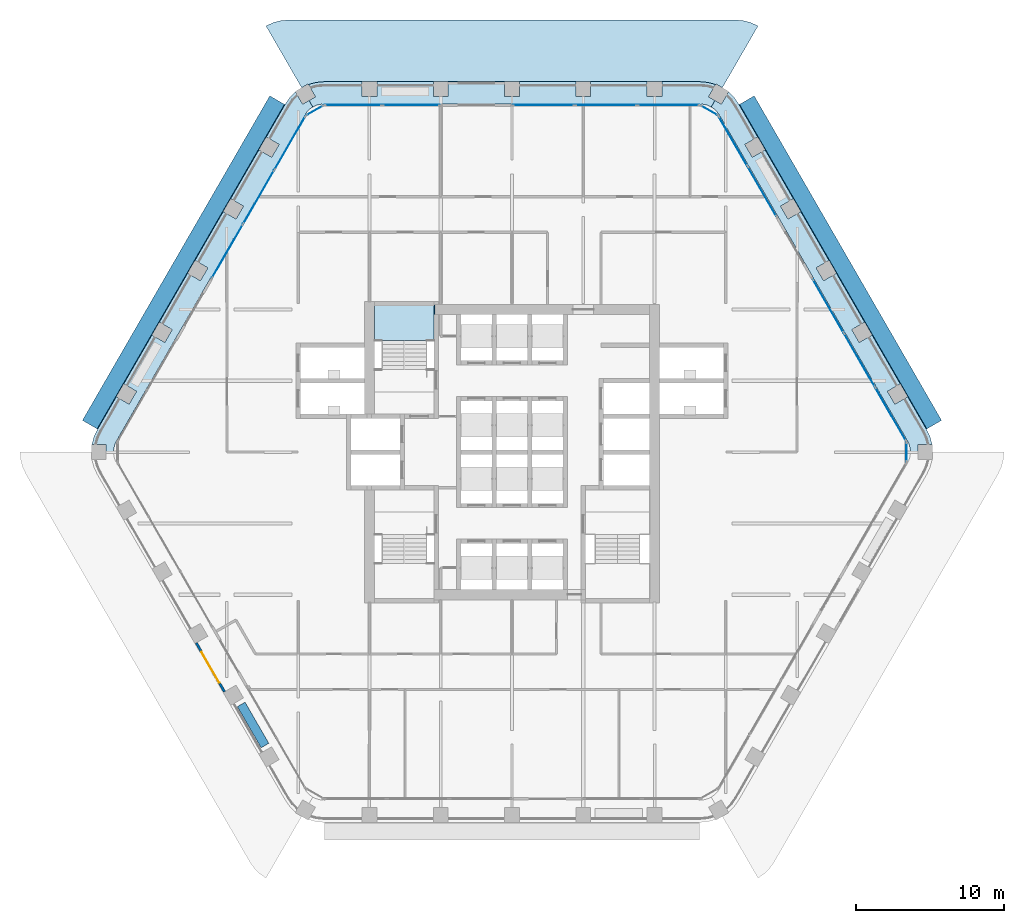
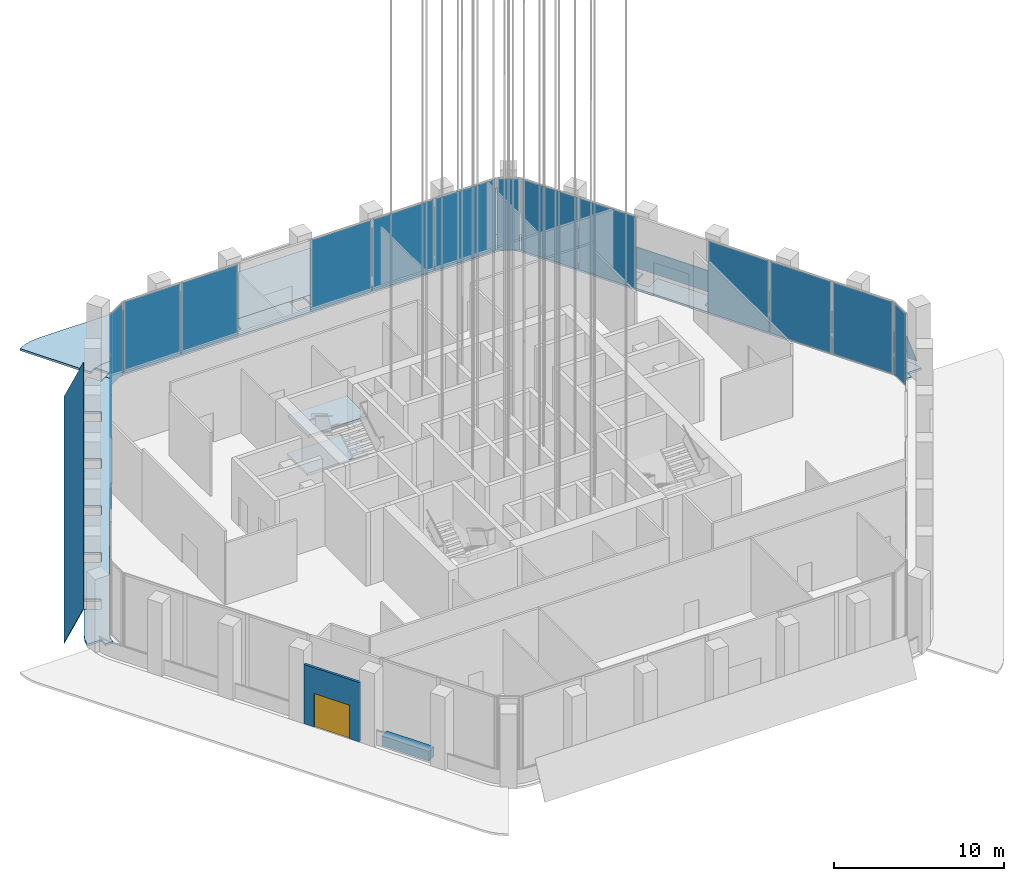
# One storey, part 7 of 42: 18 plates, 6 slabs, 2 walls, 1 door, 1 opening, 9 elements without a shape of their own.
"""IFC4 building model written with IfcOpenShell, lengths in metres."""

from ifc_helpers import new_model, si_unit, direction, frame, frame_2d, origin, origin_2d, place, context, subcontext, project, spatial, polyline, rectangle, outline, extrude, material, layer, layer_set, type_object, element, fill, aggregate, save


model = new_model("IFC4")

# Units and contexts
model_context = context("Model", 3, precision=1e-05, world=origin(), true_north=direction((0.0, 1.0)))
body_context = subcontext(model_context, "Body", "Model", "MODEL_VIEW")
ifc_project = project(units=[si_unit("LENGTHUNIT", "METRE"), si_unit("AREAUNIT", "SQUARE_METRE"), si_unit("VOLUMEUNIT", "CUBIC_METRE"), si_unit("PLANEANGLEUNIT", "RADIAN"), si_unit("MASSUNIT", "GRAM", prefix="KILO")], contexts=[model_context])

# Site, building, storey
site_placement = place(None, origin())
site = spatial("IfcSite", under=ifc_project, at=site_placement, CompositionType="ELEMENT")
building_placement = place(site_placement, origin())
building = spatial("IfcBuilding", under=site, at=building_placement, Name="Kolab Exchange Tower", CompositionType="ELEMENT")
storey_placement = place(building_placement, frame((0.0, 0.0, 133.39990234375)))
storey = spatial("IfcBuildingStorey", under=building, at=storey_placement, Name="L26", CompositionType="ELEMENT", Elevation=133.39990234375)

# Slabs
ifc_material_1 = material(Name="Concrete C35/45", Category="concrete")
ifc_layer_1 = layer(ifc_material_1, 0.14990234375)
ifc_layer_set_1 = layer_set([ifc_layer_1], Name="Concrete C35/45")
slab_type_1 = type_object("IfcSlabType", Name="LOGGIA SLAB 150", PredefinedType="FLOOR", material=ifc_layer_set_1)
slab_1_placement = place(storey_placement, frame((0.0, 0.0, -0.14990234375)))
element("IfcSlab", 1, at=slab_1_placement, inside=storey, type_object=slab_type_1, Name="slab/L26/loggia/0-0", PredefinedType="FLOOR", context=body_context, shape_type="SweptSolid", body=[
    extrude(outline(polyline([(13.41796875, 23.240478515625), (13.66796875, 23.673583984375), (13.23486328125, 23.923583984375), (13.713134765625, 24.751708984375), (13.694091796875, 24.760498046875), (13.18896484375, 24.89599609375), (12.66796875, 24.941650390625), (10.10009765625, 24.941650390625), (10.10009765625, 23.941650390625), (9.10009765625, 23.941650390625), (9.10009765625, 24.941650390625), (5.300048828125, 24.941650390625), (5.300048828125, 23.941650390625), (4.300048828125, 23.941650390625), (4.300048828125, 24.941650390625), (0.5, 24.941650390625), (0.5, 23.941650390625), (-0.5, 23.941650390625), (-0.5, 24.941650390625), (-4.300048828125, 24.941650390625), (-4.300048828125, 23.941650390625), (-5.300048828125, 23.941650390625), (-5.300048828125, 24.941650390625), (-9.10009765625, 24.941650390625), (-9.10009765625, 23.941650390625), (-10.10009765625, 23.941650390625), (-10.10009765625, 24.941650390625), (-12.66796875, 24.941650390625), (-13.18896484375, 24.89599609375), (-13.694091796875, 24.760498046875), (-13.713134765625, 24.751708984375), (-13.23486328125, 23.923583984375), (-13.66796875, 23.673583984375), (-13.41796875, 23.240478515625), (-13.180908203125, 23.35107421875), (-12.928466796875, 23.418701171875), (-12.66796875, 23.441650390625), (12.66796875, 23.441650390625), (12.928466796875, 23.418701171875), (13.180908203125, 23.35107421875), (13.41796875, 23.240478515625)])), origin(), (0.0, 0.0, 1.0), 0.14990234375),
])
slab_2_placement = place(storey_placement, frame((0.0, 0.0, -0.14990234375)))
element("IfcSlab", 2, at=slab_2_placement, inside=storey, type_object=slab_type_1, Name="slab/L26/loggia/1-0", PredefinedType="FLOOR", context=body_context, shape_type="SweptSolid", body=[
    extrude(outline(polyline([(26.8359375, 0.0), (27.3359375, 0.0), (27.3359375, 0.5), (28.292236328125, 0.5), (28.290283203125, 0.52099609375), (28.155029296875, 1.026123046875), (27.93408203125, 1.5), (26.64990234375, 3.723876953125), (25.783935546875, 3.223876953125), (25.283935546875, 4.08984375), (26.14990234375, 4.58984375), (24.25, 7.880859375), (23.384033203125, 7.380859375), (22.884033203125, 8.246826171875), (23.75, 8.746826171875), (21.85009765625, 12.037841796875), (20.98388671875, 11.537841796875), (20.48388671875, 12.40380859375), (21.35009765625, 12.90380859375), (19.449951171875, 16.194580078125), (18.583984375, 15.694580078125), (18.083984375, 16.560791015625), (18.949951171875, 17.060791015625), (17.050048828125, 20.3515625), (16.18408203125, 19.8515625), (15.68408203125, 20.717529296875), (16.550048828125, 21.217529296875), (15.26611328125, 23.441650390625), (14.966064453125, 23.869873046875), (14.59619140625, 24.23974609375), (14.5791015625, 24.251708984375), (14.10107421875, 23.423583984375), (13.66796875, 23.673583984375), (13.41796875, 23.240478515625), (13.632080078125, 23.090576171875), (13.81689453125, 22.90576171875), (13.967041015625, 22.691650390625), (26.635009765625, 0.75), (26.745361328125, 0.512939453125), (26.81298828125, 0.260498046875), (26.8359375, 0.0)])), origin(), (0.0, 0.0, 1.0), 0.14990234375),
])
slab_3_placement = place(storey_placement, frame((0.0, 0.0, -0.14990234375)))
element("IfcSlab", 3, at=slab_3_placement, inside=storey, type_object=slab_type_1, Name="slab/L26/loggia/5-0", PredefinedType="FLOOR", context=body_context, shape_type="SweptSolid", body=[
    extrude(outline(polyline([(-13.41796875, 23.240478515625), (-13.66796875, 23.673583984375), (-14.10107421875, 23.423583984375), (-14.5791015625, 24.251708984375), (-14.59619140625, 24.23974609375), (-14.966064453125, 23.869873046875), (-15.26611328125, 23.441650390625), (-16.550048828125, 21.217529296875), (-15.68408203125, 20.717529296875), (-16.18408203125, 19.8515625), (-17.050048828125, 20.3515625), (-18.949951171875, 17.060791015625), (-18.083984375, 16.560791015625), (-18.583984375, 15.694580078125), (-19.449951171875, 16.194580078125), (-21.35009765625, 12.90380859375), (-20.48388671875, 12.40380859375), (-20.98388671875, 11.537841796875), (-21.85009765625, 12.037841796875), (-23.75, 8.746826171875), (-22.884033203125, 8.246826171875), (-23.384033203125, 7.380859375), (-24.25, 7.880859375), (-26.14990234375, 4.58984375), (-25.283935546875, 4.08984375), (-25.783935546875, 3.223876953125), (-26.64990234375, 3.723876953125), (-27.93408203125, 1.5), (-28.155029296875, 1.026123046875), (-28.290283203125, 0.52099609375), (-28.292236328125, 0.5), (-27.3359375, 0.5), (-27.3359375, 0.0), (-26.8359375, 0.0), (-26.81298828125, 0.260498046875), (-26.745361328125, 0.512939453125), (-26.635009765625, 0.75), (-13.967041015625, 22.691650390625), (-13.81689453125, 22.90576171875), (-13.632080078125, 23.090576171875), (-13.41796875, 23.240478515625)])), origin(), (0.0, 0.0, 1.0), 0.14990234375),
])

# Plates
ifc_material_2 = material(Name="Laminated glass, clear", Category="glass")
ifc_layer_2 = layer(ifc_material_2, 0.0400390625)
ifc_layer_set_2 = layer_set([ifc_layer_2], Name="Laminated glass, clear")
plate_type_1 = type_object("IfcPlateType", Name="OUTER SKIN LAMINATED GLASS SHEET 40", PredefinedType="SHEET", material=ifc_layer_set_2)
plate_1_placement = place(storey_placement, frame((16.312744140625, 23.98828125, -0.68310546875), z_axis=(0.784905667225, 0.453165912802, 0.422568040713), x_axis=(0.499999969025, -0.866025421667, 9.26285e-07)))
element("IfcPlate", 4, at=plate_1_placement, inside=storey, type_object=plate_type_1, Name="Outer skin", PredefinedType="SHEET", context=body_context, shape_type="SweptSolid", body=[
    extrude(outline(polyline([(0.0, 0.0), (25.23592824607872, 0.0), (25.235987076312256, -2.7060894877843795), (0.00027026222124540016, -2.706141070616465), (0.0, 0.0)])), origin(), (0.0, 0.0, -1.0), 0.0400390625),
])
plate_2_placement = place(storey_placement, frame((-28.9306640625, 2.13330078125, -0.68310546875), z_axis=(-0.784905667225, 0.453165912802, 0.422568040713), x_axis=(0.499999969025, 0.866025421667, -9.26285e-07)))
element("IfcPlate", 5, at=plate_2_placement, inside=storey, type_object=plate_type_1, Name="Outer skin", PredefinedType="SHEET", context=body_context, shape_type="SweptSolid", body=[
    extrude(outline(polyline([(0.0, 0.0), (25.23592824607872, 0.0), (25.235657983857475, -2.7061410706164652), (-5.883023353372579e-05, -2.7060894877843795), (0.0, 0.0)])), origin(), (0.0, 0.0, -1.0), 0.0400390625),
])

# Stair, slabs
ifc_material_3 = material(Name="Concrete C50/60", Category="concrete")
stair_type = type_object("IfcStairType", Name="STAIR ST1 RISER 168.8", PredefinedType="DOUBLE_RETURN_STAIR", material=ifc_material_3)
stair_placement = place(storey_placement, origin())
stair = element("IfcStair", 6, at=stair_placement, inside=storey, type_object=stair_type, Name="Stair 1", PredefinedType="DOUBLE_RETURN_STAIR")
ifc_layer_3 = layer(ifc_material_3, 0.199951171875)
ifc_layer_set_3 = layer_set([ifc_layer_3], Name="Concrete C50/60")
slab_type_2 = type_object("IfcSlabType", Name="STAIR LANDING 200", PredefinedType="LANDING", material=ifc_layer_set_3)
slab_4_placement = place(storey_placement, frame((0.0, 0.0, 1.150146484375)))
slab_4 = element("IfcSlab", 7, at=slab_4_placement, type_object=slab_type_2, Name="ST1 landing 2", PredefinedType="LANDING", context=body_context, shape_type="SweptSolid", body=[
    extrude(outline(polyline([(-9.31005859375, 7.510009765625), (-5.18994140625, 7.510009765625), (-5.18994140625, 9.909912109375), (-9.31005859375, 9.909912109375), (-9.31005859375, 7.510009765625)])), origin(), (0.0, 0.0, 1.0), 0.199951171875),
])
slab_5_placement = place(storey_placement, frame((0.0, 0.0, 3.85009765625)))
slab_5 = element("IfcSlab", 8, at=slab_5_placement, type_object=slab_type_2, Name="ST1 landing 4", PredefinedType="LANDING", context=body_context, shape_type="SweptSolid", body=[
    extrude(outline(polyline([(-9.25, 7.510009765625), (-5.25, 7.510009765625), (-5.25, 9.909912109375), (-9.25, 9.909912109375), (-9.25, 7.510009765625)])), origin(), (0.0, 0.0, 1.0), 0.199951171875),
])
aggregate(stair, [slab_4, slab_5])

# Slab
ifc_layer_4 = layer(ifc_material_1, 0.14990234375)
ifc_layer_set_4 = layer_set([ifc_layer_4], Name="Concrete C35/45")
slab_type_3 = type_object("IfcSlabType", Name="TERRACE SLAB 150 PLANTED", PredefinedType="ROOF", material=ifc_layer_set_4)
slab_6_placement = place(storey_placement, frame((0.0, 0.0, -0.14990234375)))
element("IfcSlab", 9, at=slab_6_placement, inside=storey, type_object=slab_type_3, Name="slab/L25/ledge-L26-F1/0", PredefinedType="ROOF", context=body_context, shape_type="SweptSolid", body=[
    extrude(outline(polyline([(-14.16796875, 24.53955078125), (-13.73486328125, 24.78955078125), (-13.713134765625, 24.751708984375), (-13.694091796875, 24.760498046875), (-13.18896484375, 24.89599609375), (-12.66796875, 24.941650390625), (-10.10009765625, 24.941650390625), (-9.10009765625, 24.941650390625), (-5.300048828125, 24.941650390625), (-4.300048828125, 24.941650390625), (-0.5, 24.941650390625), (0.5, 24.941650390625), (4.300048828125, 24.941650390625), (5.300048828125, 24.941650390625), (9.10009765625, 24.941650390625), (10.10009765625, 24.941650390625), (12.66796875, 24.941650390625), (13.18896484375, 24.89599609375), (13.694091796875, 24.760498046875), (13.713134765625, 24.751708984375), (13.73486328125, 24.78955078125), (14.16796875, 24.53955078125), (16.56787109375, 28.696533203125), (16.093994140625, 28.91748046875), (15.5888671875, 29.052978515625), (15.06787109375, 29.098388671875), (-15.06787109375, 29.098388671875), (-15.5888671875, 29.052978515625), (-16.093994140625, 28.91748046875), (-16.56787109375, 28.696533203125), (-14.16796875, 24.53955078125)])), origin(), (0.0, 0.0, 1.0), 0.14990234375),
])

# Curtain wall, plates
ifc_material_4 = material(Name="Aluminium EN AW-6063 T6", Category="aluminium")
curtain_wall_type = type_object("IfcCurtainWallType", Name="UNITISED UPPER MID ZONE DOUBLE HEIGHT CURTAIN WALL", PredefinedType="NOTDEFINED", material=ifc_material_4)
curtain_wall_1_placement = place(storey_placement, origin())
curtain_wall_1 = element("IfcCurtainWall", 10, at=curtain_wall_1_placement, inside=storey, type_object=curtain_wall_type, Name="cw/L26/F1-1", PredefinedType="NOTDEFINED")
ifc_material_5 = material(Name="Clear insulated glazing unit", Category="glass")
ifc_layer_5 = layer(ifc_material_5, 0.028076171875)
ifc_layer_set_5 = layer_set([ifc_layer_5], Name="Clear insulated glazing unit")
plate_type_2 = type_object("IfcPlateType", Name="UNITISED UPPER MID ZONE DOUBLE HEIGHT GLASS PANEL 28", PredefinedType="CURTAIN_PANEL", material=ifc_layer_set_5)
plate_3_placement = place(storey_placement, frame((-10.68603515625, 23.361572265625, 0.06005859375), z_axis=(0.0, 0.0, 1.0), x_axis=(1.0, 0.0, 0.0)))
plate_3 = element("IfcPlate", 11, at=plate_3_placement, type_object=plate_type_2, Name="CW8 panel 1.1", PredefinedType="CURTAIN_PANEL", context=body_context, shape_type="SweptSolid", body=[
    extrude(rectangle(XDim=3.843994140625, YDim=0.028076171875, at=origin_2d()), origin(), (0.0, 0.0, 1.0), 5.1298828125),
])
plate_4_placement = place(storey_placement, frame((-6.781982421875, 23.361572265625, 0.06005859375), z_axis=(0.0, 0.0, 1.0), x_axis=(1.0, 0.0, 0.0)))
plate_4 = element("IfcPlate", 12, at=plate_4_placement, type_object=plate_type_2, Name="CW8 panel 2.1", PredefinedType="CURTAIN_PANEL", context=body_context, shape_type="SweptSolid", body=[
    extrude(rectangle(XDim=3.843994140625, YDim=0.028076171875, at=origin_2d()), origin(), (0.0, 0.0, 1.0), 5.1298828125),
])
aggregate(curtain_wall_1, [plate_3, plate_4])

curtain_wall_2_placement = place(storey_placement, origin())
curtain_wall_2 = element("IfcCurtainWall", 13, at=curtain_wall_2_placement, inside=storey, type_object=curtain_wall_type, Name="cw/L26/F1-2", PredefinedType="NOTDEFINED")
plate_5_placement = place(storey_placement, frame((2.126220703125, 23.361572265625, 0.06005859375), z_axis=(0.0, 0.0, 1.0), x_axis=(1.0, 0.0, 0.0)))
plate_5 = element("IfcPlate", 14, at=plate_5_placement, type_object=plate_type_2, Name="CW8 panel 1.1", PredefinedType="CURTAIN_PANEL", context=body_context, shape_type="SweptSolid", body=[
    extrude(rectangle(XDim=4.132568359375, YDim=0.028076171875, at=origin_2d()), origin(), (0.0, 0.0, 1.0), 5.1298828125),
])
plate_6_placement = place(storey_placement, frame((6.333984375, 23.361572265625, 0.06005859375), z_axis=(0.0, 0.0, 1.0), x_axis=(1.0, 0.0, 0.0)))
plate_6 = element("IfcPlate", 15, at=plate_6_placement, type_object=plate_type_2, Name="CW8 panel 2.1", PredefinedType="CURTAIN_PANEL", context=body_context, shape_type="SweptSolid", body=[
    extrude(rectangle(XDim=4.16259765625, YDim=0.028076171875, at=origin_2d()), origin(), (0.0, 0.0, 1.0), 5.1298828125),
])
plate_7_placement = place(storey_placement, frame((10.54150390625, 23.361572265625, 0.06005859375), z_axis=(0.0, 0.0, 1.0), x_axis=(1.0, 0.0, 0.0)))
plate_7 = element("IfcPlate", 16, at=plate_7_placement, type_object=plate_type_2, Name="CW8 panel 3.1", PredefinedType="CURTAIN_PANEL", context=body_context, shape_type="SweptSolid", body=[
    extrude(rectangle(XDim=4.132568359375, YDim=0.028076171875, at=origin_2d()), origin(), (0.0, 0.0, 1.0), 5.1298828125),
])
aggregate(curtain_wall_2, [plate_5, plate_6, plate_7])

curtain_wall_3_placement = place(storey_placement, origin())
curtain_wall_3 = element("IfcCurtainWall", 17, at=curtain_wall_3_placement, inside=storey, type_object=curtain_wall_type, Name="cw/L26/F2-1", PredefinedType="NOTDEFINED")
plate_8_placement = place(storey_placement, frame((14.888671875, 20.93505859375, 0.06005859375), z_axis=(0.0, 0.0, 1.0), x_axis=(0.500000031681, -0.866025385493, 0.0)))
plate_8 = element("IfcPlate", 18, at=plate_8_placement, type_object=plate_type_2, Name="CW8 panel 1.1", PredefinedType="CURTAIN_PANEL", context=body_context, shape_type="SweptSolid", body=[
    extrude(rectangle(XDim=3.843994140625, YDim=0.028076171875, at=origin_2d()), origin(), (0.0, 0.0, 1.0), 5.1298828125),
])
plate_9_placement = place(storey_placement, frame((16.840576171875, 17.55419921875, 0.06005859375), z_axis=(0.0, 0.0, 1.0), x_axis=(0.500000031681, -0.866025385493, 0.0)))
plate_9 = element("IfcPlate", 19, at=plate_9_placement, type_object=plate_type_2, Name="CW8 panel 2.1", PredefinedType="CURTAIN_PANEL", context=body_context, shape_type="SweptSolid", body=[
    extrude(rectangle(XDim=3.843994140625, YDim=0.028076171875, at=origin_2d()), origin(), (0.0, 0.0, 1.0), 5.1298828125),
])
aggregate(curtain_wall_3, [plate_8, plate_9])

curtain_wall_4_placement = place(storey_placement, origin())
curtain_wall_4 = element("IfcCurtainWall", 20, at=curtain_wall_4_placement, inside=storey, type_object=curtain_wall_type, Name="cw/L26/F2-2", PredefinedType="NOTDEFINED")
plate_10_placement = place(storey_placement, frame((21.294921875, 9.83935546875, 0.06005859375), z_axis=(0.0, 0.0, 1.0), x_axis=(0.499999958358, -0.866025427826, 0.0)))
plate_10 = element("IfcPlate", 21, at=plate_10_placement, type_object=plate_type_2, Name="CW8 panel 1.1", PredefinedType="CURTAIN_PANEL", context=body_context, shape_type="SweptSolid", body=[
    extrude(rectangle(XDim=4.132568359375, YDim=0.028076171875, at=origin_2d()), origin(), (0.0, 0.0, 1.0), 5.1298828125),
])
plate_11_placement = place(storey_placement, frame((23.398681640625, 6.1953125, 0.06005859375), z_axis=(0.0, 0.0, 1.0), x_axis=(0.499999958358, -0.866025427826, 0.0)))
plate_11 = element("IfcPlate", 22, at=plate_11_placement, type_object=plate_type_2, Name="CW8 panel 2.1", PredefinedType="CURTAIN_PANEL", context=body_context, shape_type="SweptSolid", body=[
    extrude(rectangle(XDim=4.16259765625, YDim=0.028076171875, at=origin_2d()), origin(), (0.0, 0.0, 1.0), 5.1298828125),
])
plate_12_placement = place(storey_placement, frame((25.50244140625, 2.551513671875, 0.06005859375), z_axis=(0.0, 0.0, 1.0), x_axis=(0.499999958358, -0.866025427826, 0.0)))
plate_12 = element("IfcPlate", 23, at=plate_12_placement, type_object=plate_type_2, Name="CW8 panel 3.1", PredefinedType="CURTAIN_PANEL", context=body_context, shape_type="SweptSolid", body=[
    extrude(rectangle(XDim=4.132568359375, YDim=0.028076171875, at=origin_2d()), origin(), (0.0, 0.0, 1.0), 5.1298828125),
])
aggregate(curtain_wall_4, [plate_10, plate_11, plate_12])

curtain_wall_5_placement = place(storey_placement, origin())
curtain_wall_5 = element("IfcCurtainWall", 24, at=curtain_wall_5_placement, inside=storey, type_object=curtain_wall_type, Name="cw/L26/F6-2", PredefinedType="NOTDEFINED")
plate_13_placement = place(storey_placement, frame((-19.16845703125, 13.522216796875, 0.06005859375), z_axis=(0.0, 0.0, 1.0), x_axis=(0.500000017564, 0.866025393644, 0.0)))
plate_13 = element("IfcPlate", 25, at=plate_13_placement, type_object=plate_type_2, Name="CW8 panel 1.1", PredefinedType="CURTAIN_PANEL", context=body_context, shape_type="SweptSolid", body=[
    extrude(rectangle(XDim=4.132568359375, YDim=0.028076171875, at=origin_2d()), origin(), (0.0, 0.0, 1.0), 5.1298828125),
])
plate_14_placement = place(storey_placement, frame((-17.064697265625, 17.166259765625, 0.06005859375), z_axis=(0.0, 0.0, 1.0), x_axis=(0.500000017564, 0.866025393644, 0.0)))
plate_14 = element("IfcPlate", 26, at=plate_14_placement, type_object=plate_type_2, Name="CW8 panel 2.1", PredefinedType="CURTAIN_PANEL", context=body_context, shape_type="SweptSolid", body=[
    extrude(rectangle(XDim=4.16259765625, YDim=0.028076171875, at=origin_2d()), origin(), (0.0, 0.0, 1.0), 5.1298828125),
])
plate_15_placement = place(storey_placement, frame((-14.9609375, 20.81005859375, 0.06005859375), z_axis=(0.0, 0.0, 1.0), x_axis=(0.500000017564, 0.866025393644, 0.0)))
plate_15 = element("IfcPlate", 27, at=plate_15_placement, type_object=plate_type_2, Name="CW8 panel 3.1", PredefinedType="CURTAIN_PANEL", context=body_context, shape_type="SweptSolid", body=[
    extrude(rectangle(XDim=4.132568359375, YDim=0.028076171875, at=origin_2d()), origin(), (0.0, 0.0, 1.0), 5.1298828125),
])
aggregate(curtain_wall_5, [plate_13, plate_14, plate_15])

# Curtain wall, plate
curtain_wall_6_placement = place(storey_placement, origin())
curtain_wall_6 = element("IfcCurtainWall", 28, at=curtain_wall_6_placement, inside=storey, type_object=curtain_wall_type, Name="cw/L26/F1F2-corner", PredefinedType="NOTDEFINED")
plate_16_placement = place(storey_placement, frame((13.28271484375, 23.006591796875, 0.06005859375), z_axis=(0.0, 0.0, 1.0), x_axis=(0.866025390869, -0.50000002237, 0.0)))
plate_16 = element("IfcPlate", 29, at=plate_16_placement, type_object=plate_type_2, Name="CW8 panel 1.1", PredefinedType="CURTAIN_PANEL", context=body_context, shape_type="SweptSolid", body=[
    extrude(rectangle(XDim=1.300048828125, YDim=0.028076171875, at=origin_2d()), origin(), (0.0, 0.0, 1.0), 5.1298828125),
])
aggregate(curtain_wall_6, [plate_16])

curtain_wall_7_placement = place(storey_placement, origin())
curtain_wall_7 = element("IfcCurtainWall", 30, at=curtain_wall_7_placement, inside=storey, type_object=curtain_wall_type, Name="cw/L26/F2F3-corner", PredefinedType="NOTDEFINED")
plate_17_placement = place(storey_placement, frame((26.565673828125, 0.0, 0.06005859375), z_axis=(0.0, 0.0, 1.0), x_axis=(0.0, -1.0, 0.0)))
plate_17 = element("IfcPlate", 31, at=plate_17_placement, type_object=plate_type_2, Name="CW8 panel 1.1", PredefinedType="CURTAIN_PANEL", context=body_context, shape_type="SweptSolid", body=[
    extrude(rectangle(XDim=1.300048828125, YDim=0.028076171875, at=origin_2d()), origin(), (0.0, 0.0, 1.0), 5.1298828125),
])
aggregate(curtain_wall_7, [plate_17])

curtain_wall_8_placement = place(storey_placement, origin())
curtain_wall_8 = element("IfcCurtainWall", 32, at=curtain_wall_8_placement, inside=storey, type_object=curtain_wall_type, Name="cw/L26/F6F1-corner", PredefinedType="NOTDEFINED")
plate_18_placement = place(storey_placement, frame((-13.28271484375, 23.006591796875, 0.06005859375), z_axis=(0.0, 0.0, 1.0), x_axis=(0.866025390869, 0.50000002237, 0.0)))
plate_18 = element("IfcPlate", 33, at=plate_18_placement, type_object=plate_type_2, Name="CW8 panel 1.1", PredefinedType="CURTAIN_PANEL", context=body_context, shape_type="SweptSolid", body=[
    extrude(rectangle(XDim=1.300048828125, YDim=0.028076171875, at=origin_2d()), origin(), (0.0, 0.0, 1.0), 5.1298828125),
])
aggregate(curtain_wall_8, [plate_18])

# Wall, opening, door
ifc_layer_6 = layer(ifc_material_4, 0.159912109375)
ifc_layer_set_6 = layer_set([ifc_layer_6], Name="Aluminium EN AW-6063 T6")
wall_type_1 = type_object("IfcWallType", Name="DOOR SURROUND WALL 160 ALUMINIUM FRAMED", PredefinedType="PARTITIONING", material=ifc_layer_set_6)
wall_1_placement = place(storey_placement, frame((-19.364501953125, -16.142822265625, 0.0), z_axis=(0.0, 0.0, 1.0), x_axis=(-0.499998968938, 0.866025999068, 0.0)))
wall_1 = element("IfcWall", 34, at=wall_1_placement, inside=storey, type_object=wall_type_1, Name="Door surround wall", PredefinedType="PARTITIONING", context=body_context, shape_type="SweptSolid", body=[
    extrude(rectangle(XDim=3.7958984375, YDim=0.159912109375, at=frame_2d((1.89794921875, 0.0))), origin(), (0.0, 0.0, 1.0), 4.25),
])
opening_placement = place(wall_1_placement, frame((0.697998046875, 0.0, 0.0)))
opening = element("IfcOpeningElement", 35, at=opening_placement, cuts=wall_1, Name="Opening GD1-063", PredefinedType="OPENING", context=body_context, shape_type="SweptSolid", body=[
    extrude(rectangle(XDim=2.39990234375, YDim=2.39990234375, at=frame_2d((1.199951171875, 1.199951171875))), frame((0.0, 0.08984375, 0.0), z_axis=(0.0, -1.0, 0.0), x_axis=(1.0, 0.0, 0.0)), (0.0, 0.0, 1.0), 0.179931640625),
])
door_type = type_object("IfcDoorType", Name="LOGGIA SLIDING GLASS DOOR 2400 X 2400", OperationType="DOUBLE_DOOR_SINGLE_SWING", PredefinedType="DOOR", material=ifc_material_4)
door_placement = place(opening_placement, origin())
door = element("IfcDoor", 36, at=door_placement, inside=storey, type_object=door_type, Name="Terrace door", OperationType="DOUBLE_DOOR_SLIDING", OverallHeight=2.39990234375, OverallWidth=2.39990234375, PredefinedType="DOOR", context=body_context, shape_type="SweptSolid", body=[
    extrude(rectangle(XDim=2.39990234375, YDim=2.39990234375, at=frame_2d((1.199951171875, 1.199951171875))), frame((0.0, 0.02490234375, 0.0), z_axis=(0.0, -1.0, 0.0), x_axis=(1.0, 0.0, 0.0)), (0.0, 0.0, 1.0), 0.050048828125),
])
fill(opening, door)

# Wall
ifc_material_6 = material(Name="Granite facing", Category="masonry")
ifc_layer_7 = layer(ifc_material_6, 0.0400390625)
ifc_material_7 = material(Name="Concrete C40/50 precast", Category="concrete")
ifc_layer_8 = layer(ifc_material_7, 0.56005859375)
ifc_layer_set_7 = layer_set([ifc_layer_7, ifc_layer_8], Name="Concrete C40/50 precast")
wall_type_2 = type_object("IfcWallType", Name="PLANTER BOX 600 X 700 SOIL DEPTH 550", PredefinedType="USERDEFINED", material=ifc_layer_set_7)
wall_2_placement = place(storey_placement, frame((-16.636962890625, -19.766845703125, 0.0), z_axis=(0.0, 0.0, 1.0), x_axis=(-0.500028443584, 0.866008981251, 0.0)))
element("IfcWall", 37, at=wall_2_placement, inside=storey, type_object=wall_type_2, Name="Planter", ObjectType="PLANTER", PredefinedType="USERDEFINED", context=body_context, shape_type="SweptSolid", body=[
    extrude(rectangle(XDim=3.199951171875, YDim=0.60009765625, at=frame_2d((1.60009765625, 0.0))), origin(), (0.0, 0.0, 1.0), 0.7001953125),
])

save(model, "model.ifc")
